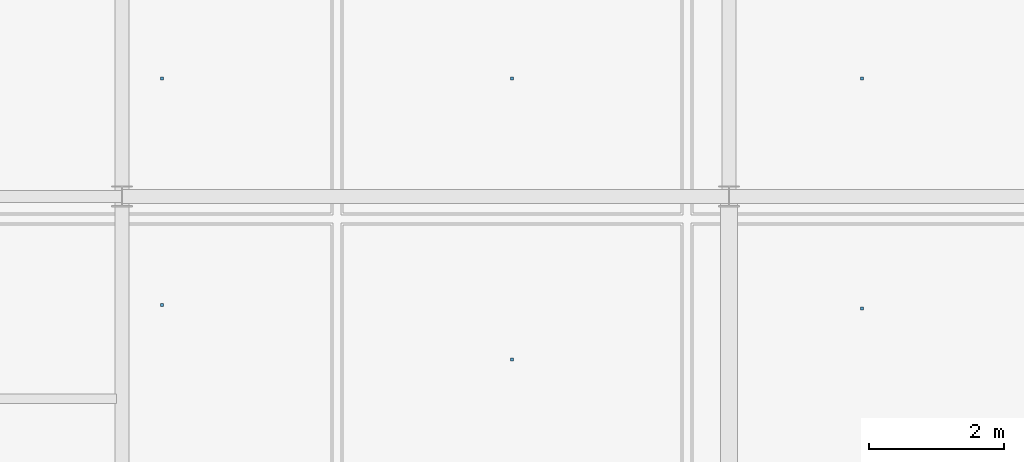
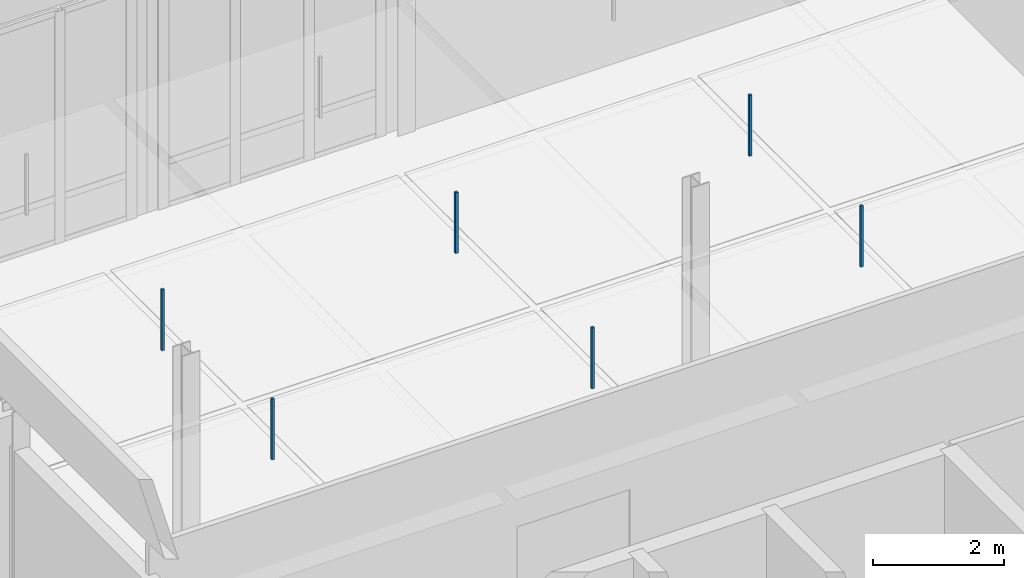
# One storey, part 62 of 89: 6 discrete accessories.
"""IFC4 building model written with IfcOpenShell, lengths in metres."""

from ifc_helpers import new_model, si_unit, direction, frame, origin, origin_2d, place, context, subcontext, project, spatial, rectangle, extrude, material, type_object, element, save


model = new_model("IFC4")

# Units and contexts
model_context = context("Model", 3, precision=1e-05, world=origin(), true_north=direction((0.0, 1.0)))
body_context = subcontext(model_context, "Body", "Model", "MODEL_VIEW")
ifc_project = project(units=[si_unit("LENGTHUNIT", "METRE"), si_unit("AREAUNIT", "SQUARE_METRE"), si_unit("VOLUMEUNIT", "CUBIC_METRE"), si_unit("PLANEANGLEUNIT", "RADIAN"), si_unit("MASSUNIT", "GRAM", prefix="KILO"), si_unit("THERMODYNAMICTEMPERATUREUNIT", "KELVIN"), si_unit("POWERUNIT", "WATT")], contexts=[model_context])

# Site, building, storey
site_placement = place(None, origin())
site = spatial("IfcSite", under=ifc_project, at=site_placement, CompositionType="ELEMENT")
building_placement = place(site_placement, origin())
building = spatial("IfcBuilding", under=site, at=building_placement, Name="Tallowbark Science Centre", CompositionType="ELEMENT")
storey_placement = place(building_placement, frame((0.0, 0.0, 14.39990234375)))
storey = spatial("IfcBuildingStorey", under=building, at=storey_placement, Name="L03", CompositionType="ELEMENT", Elevation=14.39990234375)

# Discrete accessories
ifc_material = material(Name="Galvanised Steel Grade C350L0 (350 MPa)", Category="steel")
discrete_accessory_type = type_object("IfcDiscreteAccessoryType", Name="ACC-CLG-HNG", PredefinedType="BRACKET", material=ifc_material)
for number, where, z_axis, x_axis, name in (
    (1, (72.59375, 88.38818359375, 3.205078125), (0.0, 0.0, 1.0), (1.0, 0.0, 0.0), "Ceiling Hanger Bracket L03-994"),
    (2, (72.59375, 91.75, 3.205078125), (0.0, 0.0, 1.0), (1.0, 0.0, 0.0), "Ceiling Hanger Bracket L03-995"),
    (3, (77.78125, 87.583251953125, 3.205078125), (0.0, 0.0, 1.0), (1.0, 0.0, 0.0), "Ceiling Hanger Bracket L03-997"),
    (4, (77.78125, 91.75, 3.205078125), (0.0, 0.0, 1.0), (1.0, 0.0, 0.0), "Ceiling Hanger Bracket L03-998"),
    (5, (82.96875, 88.33837890625, 3.205078125), (0.0, 0.0, 1.0), (1.0, 0.0, 0.0), "Ceiling Hanger Bracket L03-1000"),
    (6, (82.96875, 91.75, 3.205078125), (0.0, 0.0, 1.0), (1.0, 0.0, 0.0), "Ceiling Hanger Bracket L03-1001"),
):
    element("IfcDiscreteAccessory", number, at=place(storey_placement, frame(where, z_axis=z_axis, x_axis=x_axis)), inside=storey, type_object=discrete_accessory_type, Name=name, PredefinedType="BRACKET", context=body_context, shape_type="SweptSolid", body=[
        extrude(rectangle(XDim=0.044921875, YDim=0.044921875, at=origin_2d()), origin(), (0.0, 0.0, 1.0), 1.137939453125),
    ])

save(model, "model.ifc")
